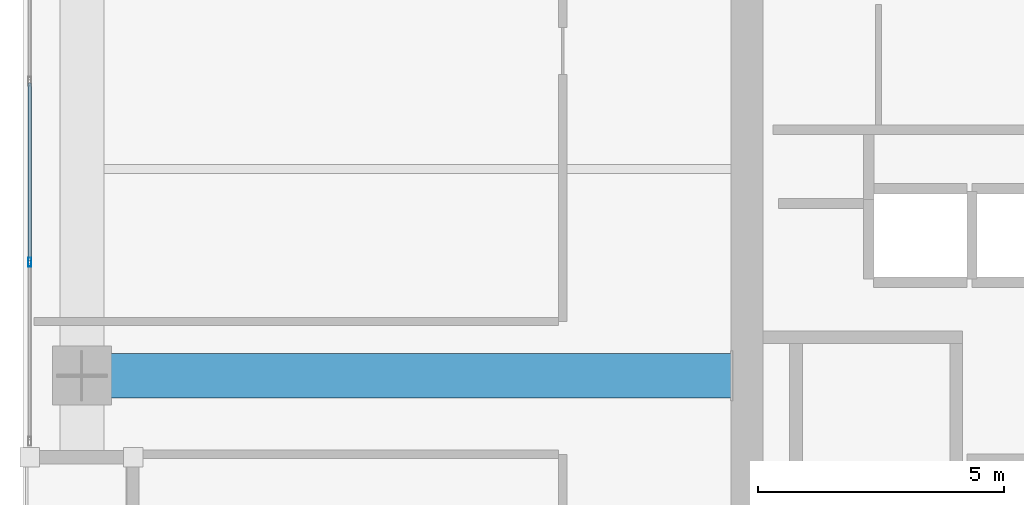
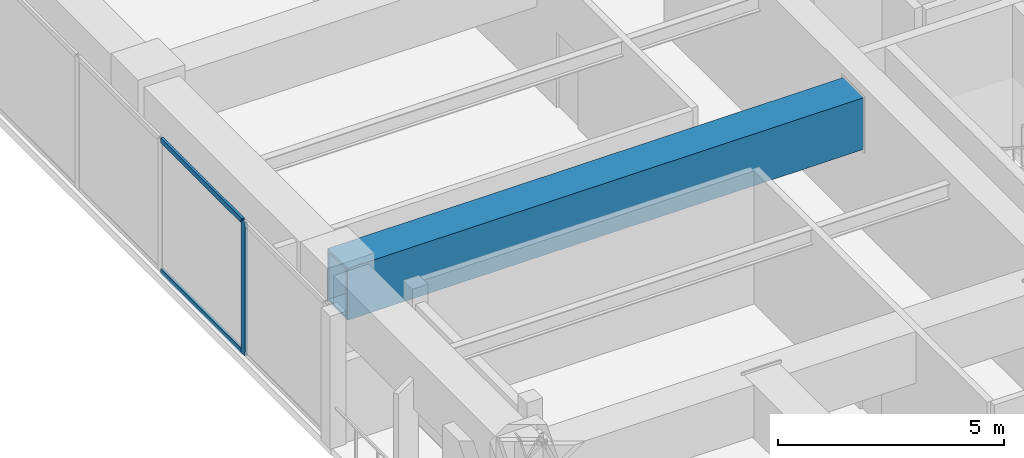
# One storey, part 4 of 30: 3 members, 1 beam, 1 element without a shape of its own.
"""IFC4 building model written with IfcOpenShell, lengths in metres."""

from ifc_helpers import new_model, si_unit, direction, frame, origin, origin_2d, place, context, subcontext, project, spatial, hollow_rectangle, extrude, material, layer, layer_set, material_profile, profile_set, type_object, element, aggregate, save


model = new_model("IFC4")

# Units and contexts
model_context = context("Model", 3, precision=1e-05, world=origin(), true_north=direction((0.0, 1.0)))
body_context = subcontext(model_context, "Body", "Model", "MODEL_VIEW")
ifc_project = project(units=[si_unit("LENGTHUNIT", "METRE"), si_unit("AREAUNIT", "SQUARE_METRE"), si_unit("VOLUMEUNIT", "CUBIC_METRE"), si_unit("PLANEANGLEUNIT", "RADIAN"), si_unit("MASSUNIT", "GRAM", prefix="KILO")], contexts=[model_context])

# Site, building, storey
site_placement = place(None, origin())
site = spatial("IfcSite", under=ifc_project, at=site_placement, CompositionType="ELEMENT")
building_placement = place(site_placement, origin())
building = spatial("IfcBuilding", under=site, at=building_placement, Name="Kiyonajd Concourse Tower", CompositionType="ELEMENT")
storey_placement = place(building_placement, frame((0.0, 0.0, 205.800048828125)))
storey = spatial("IfcBuildingStorey", under=building, at=storey_placement, Name="L52", CompositionType="ELEMENT", Elevation=205.800048828125)

# Beam
ifc_material_1 = material(Name="Steel ASTM A572 Grade 50", Category="steel")
ifc_material_profile_1 = material_profile(ifc_material_1, hollow_rectangle(XDim=0.89990234375, YDim=1.39990234375, WallThickness=0.070068359375, at=origin_2d()), Name="BOX-1400x900x70")
ifc_profile_set_1 = profile_set([ifc_material_profile_1], Name="Steel ASTM A572 Grade 50")
beam_type = type_object("IfcBeamType", Name="BM-XFER-1400", PredefinedType="BEAM", material=ifc_profile_set_1)
beam_placement = place(storey_placement, frame((19.199951171875, 36.0, 2.89990234375), z_axis=(1.0, 0.0, 0.0), x_axis=(0.0, 1.0, 0.0)))
element("IfcBeam", 1, at=beam_placement, inside=storey, type_object=beam_type, Name="L52 West Lease Girder", PredefinedType="BEAM", context=body_context, shape_type="SweptSolid", body=[
    extrude(hollow_rectangle(XDim=0.89990234375, YDim=1.39990234375, WallThickness=0.070068359375, at=origin_2d()), origin(), (0.0, 0.0, 1.0), 13.199951171875),
])

# Curtain wall, members
ifc_material_2 = material(Name="Thermally Broken Anodised Aluminium", Category="aluminium")
ifc_layer = layer(ifc_material_2, 0.179931640625)
ifc_layer_set = layer_set([ifc_layer], Name="Thermally Broken Anodised Aluminium")
curtain_wall_type = type_object("IfcCurtainWallType", Name="CW-SYS-03", PredefinedType="NOTDEFINED", material=ifc_layer_set)
curtain_wall_placement = place(storey_placement, origin())
curtain_wall = element("IfcCurtainWall", 2, at=curtain_wall_placement, inside=storey, type_object=curtain_wall_type, Name="L52 Unitised Curtain Wall CW3", PredefinedType="NOTDEFINED")
ifc_material_profile_2 = material_profile(ifc_material_2, hollow_rectangle(XDim=0.06494140625, YDim=0.179931640625, WallThickness=0.00390625, at=origin_2d()), Name="MULL-65x180")
ifc_profile_set_2 = profile_set([ifc_material_profile_2], Name="Thermally Broken Anodised Aluminium")
member_type_1 = type_object("IfcMemberType", Name="MB-CW-MULL1", PredefinedType="MULLION", material=ifc_profile_set_2)
member_1_placement = place(storey_placement, frame((18.139892578125, 38.306884765625, 0.0), z_axis=(0.0, 0.0, 1.0), x_axis=(-1.0, 0.0, 0.0)))
member_1 = element("IfcMember", 3, at=member_1_placement, type_object=member_type_1, Name="CW3 mullion 2", PredefinedType="MULLION", context=body_context, shape_type="SweptSolid", body=[
    extrude(hollow_rectangle(XDim=0.06494140625, YDim=0.179931640625, WallThickness=0.00390625, at=origin_2d()), origin(), (0.0, 0.0, 1.0), 3.599853515625),
])
ifc_material_profile_3 = material_profile(ifc_material_2, hollow_rectangle(XDim=0.06494140625, YDim=0.139892578125, WallThickness=0.00390625, at=origin_2d()), Name="TRAN-65x140")
ifc_profile_set_3 = profile_set([ifc_material_profile_3], Name="Thermally Broken Anodised Aluminium")
member_type_2 = type_object("IfcMemberType", Name="MB-CW-TRAN1", PredefinedType="USERDEFINED", material=ifc_profile_set_3)
member_2_placement = place(storey_placement, frame((18.139892578125, 38.33935546875, 0.032470703125), z_axis=(0.0, 1.0, 0.0), x_axis=(-1.0, 0.0, 0.0)))
member_2 = element("IfcMember", 4, at=member_2_placement, type_object=member_type_2, Name="CW3 transom 2.1", ObjectType="TRANSOM", PredefinedType="USERDEFINED", context=body_context, shape_type="SweptSolid", body=[
    extrude(hollow_rectangle(XDim=0.06494140625, YDim=0.139892578125, WallThickness=0.00390625, at=origin_2d()), origin(), (0.0, 0.0, 1.0), 3.612060546875),
])
member_3_placement = place(storey_placement, frame((18.139892578125, 38.33935546875, 3.5673828125), z_axis=(0.0, 1.0, 0.0), x_axis=(-1.0, 0.0, 0.0)))
member_3 = element("IfcMember", 5, at=member_3_placement, type_object=member_type_2, Name="CW3 transom 2.2", ObjectType="TRANSOM", PredefinedType="USERDEFINED", context=body_context, shape_type="SweptSolid", body=[
    extrude(hollow_rectangle(XDim=0.06494140625, YDim=0.139892578125, WallThickness=0.00390625, at=origin_2d()), origin(), (0.0, 0.0, 1.0), 3.612060546875),
])
aggregate(curtain_wall, [member_1, member_2, member_3])

save(model, "model.ifc")
